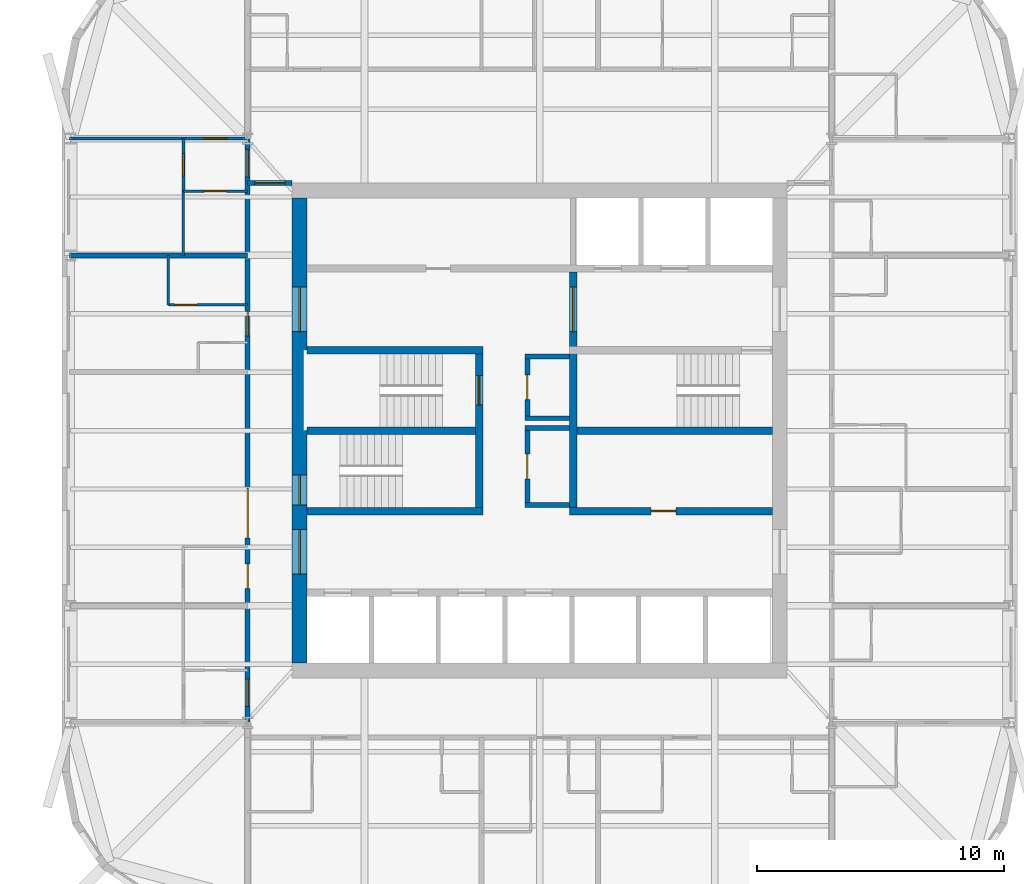
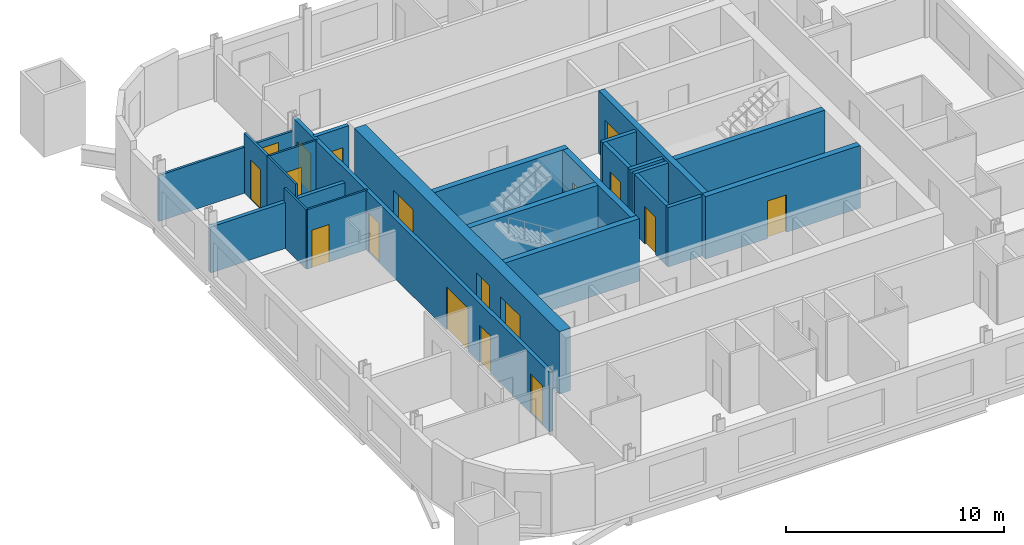
# One storey, part 4 of 8: 23 walls, 18 doors, 18 openings.
"""IFC4 building model written with IfcOpenShell, lengths in metres."""

import ifcopenshell
import ifcopenshell.guid

model = None  # the IFC model being written
_history = None  # IfcOwnerHistory: only IFC2X3 demands one
_inside = {}  # id of a spatial element -> (the spatial element, [elements in it])
_under = {}  # id of a project, library or spatial element -> (it, [spatial elements below it])
_declared = {}  # id of a project -> (the project, [libraries it declares])
_typed = {}  # id of a type object -> (the type object, [elements of that type])
_made_of = {}  # id of a material, layer set ... -> (it, [elements and type objects made of it])


def new_model(schema):
    """Start an empty IFC model of exactly this schema.

    Asked for "IFC4X3", IfcOpenShell would pick the latest addendum, in which some entities
    have other attributes; the version numbers below select the first issue.
    IFC2X3 requires an IfcOwnerHistory on every rooted entity: one is made here for all.
    """
    global model, _history
    if schema == "IFC4X3":
        model = ifcopenshell.file(schema_version=(4, 3, 0, 0))
    else:
        model = ifcopenshell.file(schema=schema)
    _inside.clear()
    _under.clear()
    _declared.clear()
    _typed.clear()
    _made_of.clear()
    _history = None
    if model.schema == "IFC2X3":
        org = make("IfcOrganization", Name="unknown")
        user = make(
            "IfcPersonAndOrganization",
            ThePerson=make("IfcPerson", FamilyName="unknown"),
            TheOrganization=org,
        )
        app = make(
            "IfcApplication",
            ApplicationDeveloper=org,
            Version="unknown",
            ApplicationFullName="unknown",
            ApplicationIdentifier="unknown",
        )
        _history = make(
            "IfcOwnerHistory",
            OwningUser=user,
            OwningApplication=app,
            ChangeAction="ADDED",
            CreationDate=0,
        )
    return model


def make(cls, **values):
    """One entity of the class cls with the attributes given. An attribute that is None is left unset."""
    return model.create_entity(
        cls, **{name: value for name, value in values.items() if value is not None}
    )


def rooted(cls, **values):
    """An entity with a GlobalId (a new one), such as an element, a storey or a relation."""
    return make(cls, GlobalId=ifcopenshell.guid.new(), OwnerHistory=_history, **values)


def si_unit(unit_type, name, prefix=None):
    """IfcSIUnit, for example si_unit("LENGTHUNIT", "METRE", prefix="MILLI")."""
    return make("IfcSIUnit", UnitType=unit_type, Prefix=prefix, Name=name)


def assignment(units):
    """IfcUnitAssignment: the units of a project."""
    return None if units is None else make("IfcUnitAssignment", Units=units)


def point(xyz):
    """IfcCartesianPoint."""
    return None if xyz is None else make("IfcCartesianPoint", Coordinates=xyz)


def direction(xyz):
    """IfcDirection."""
    return None if xyz is None else make("IfcDirection", DirectionRatios=xyz)


def frame(location, z_axis=None, x_axis=None):
    """IfcAxis2Placement3D, a coordinate frame: its origin and axes. An axis left out is left unset."""
    return make(
        "IfcAxis2Placement3D",
        Location=point(location),
        Axis=direction(z_axis),
        RefDirection=direction(x_axis),
    )


def frame_2d(location, x_axis=None):
    """IfcAxis2Placement2D, a coordinate frame in the plane: its origin and x axis."""
    return make(
        "IfcAxis2Placement2D", Location=point(location), RefDirection=direction(x_axis)
    )


def origin():
    """The frame at (0, 0, 0) with its axes left unset."""
    return frame((0.0, 0.0, 0.0))


def place(relative_to, where):
    """IfcLocalPlacement: puts the frame where relative to a parent placement (None: the world)."""
    return make(
        "IfcLocalPlacement", PlacementRelTo=relative_to, RelativePlacement=where
    )


def context(
    kind, dimensions, precision=None, world=None, true_north=None, identifier=None
):
    """IfcGeometricRepresentationContext, for example the 3D "Model" context."""
    return make(
        "IfcGeometricRepresentationContext",
        ContextIdentifier=identifier,
        ContextType=kind,
        CoordinateSpaceDimension=dimensions,
        Precision=precision,
        WorldCoordinateSystem=world,
        TrueNorth=true_north,
    )


def subcontext(parent, identifier, kind, view, scale=None):
    """IfcGeometricRepresentationSubContext, for example "Body" below "Model"."""
    return make(
        "IfcGeometricRepresentationSubContext",
        ContextIdentifier=identifier,
        ContextType=kind,
        ParentContext=parent,
        TargetScale=scale,
        TargetView=view,
    )


def project(units=None, contexts=None):
    """IfcProject with its units and contexts."""
    return rooted(
        "IfcProject",
        Name="project",
        RepresentationContexts=contexts,
        UnitsInContext=assignment(units),
    )


def spatial(cls, under=None, at=None, **own):
    """A site, building, storey or space (cls), placed at a placement, below another one or the project."""
    s = rooted(cls, ObjectPlacement=at, **own)
    if under is not None:
        _under.setdefault(under.id(), (under, []))[1].append(s)
    return s


def profile(cls, at=None, kind="AREA", **sizes):
    """A parametric profile (cls). Its sizes go by their IFC names, for example OverallWidth=200.0."""
    return make(cls, ProfileType=kind, Position=at, **sizes)


def rectangle(**sizes):
    """IfcRectangleProfileDef."""
    return profile("IfcRectangleProfileDef", **sizes)


def extrude(swept, where, along, depth):
    """IfcExtrudedAreaSolid: the profile swept, set in the frame where, extruded along a direction by depth."""
    return make(
        "IfcExtrudedAreaSolid",
        SweptArea=swept,
        Position=where,
        ExtrudedDirection=direction(along),
        Depth=depth,
    )


def shape(context_of_items, identifier, shape_type, items):
    """IfcShapeRepresentation: the items that make up one representation, for example the "Body"."""
    return make(
        "IfcShapeRepresentation",
        ContextOfItems=context_of_items,
        RepresentationIdentifier=identifier,
        RepresentationType=shape_type,
        Items=items,
    )


def material(Name=None, Category=None):
    """IfcMaterial."""
    return make("IfcMaterial", Name=Name, Category=Category)


def layer(
    of_material, thickness, ventilated=None, Name=None, Category=None, Priority=None
):
    """IfcMaterialLayer: one layer of a wall or slab, of a material (None: an air gap)."""
    return make(
        "IfcMaterialLayer",
        Material=of_material,
        LayerThickness=thickness,
        IsVentilated=ventilated,
        Name=Name,
        Category=Category,
        Priority=Priority,
    )


def layer_set(layers, Name=None):
    """IfcMaterialLayerSet."""
    return make("IfcMaterialLayerSet", MaterialLayers=layers, LayerSetName=Name)


def made_of(thing, what):
    """Note that an element or type object is made of a material, layer set ...; save() writes the relation."""
    if what is not None:
        _made_of.setdefault(what.id(), (what, []))[1].append(thing)
    return thing


def type_object(cls, material=None, **own):
    """A type object (cls), such as IfcWallType, which elements share."""
    return made_of(rooted(cls, **own), material)


def element(
    cls,
    number,
    at=None,
    inside=None,
    cuts=None,
    type_object=None,
    material=None,
    context=None,
    identifier="Body",
    shape_type=None,
    held_by="IfcProductDefinitionShape",
    body=None,
    shapes=None,
    **own,
):
    """One element of the class cls, such as IfcWall. Its Tag is "e" and its number.

    at: its placement. inside: the storey or other place that contains it. cuts: it is an
    opening in that element (IfcRelVoidsElement). A single representation is given by context,
    identifier, shape_type and body (its items); several are given by shapes. held_by: the class
    of the entity that holds the representations. save() writes the other relations.
    """
    e = rooted(cls, Tag="e%d" % number, ObjectPlacement=at, **own)
    if body is not None:
        shapes = [shape(context, identifier, shape_type, body)]
    if shapes is not None:
        e.Representation = make(held_by, Representations=shapes)
    if inside is not None:
        _inside.setdefault(inside.id(), (inside, []))[1].append(e)
    if cuts is not None:
        rooted(
            "IfcRelVoidsElement", RelatingBuildingElement=cuts, RelatedOpeningElement=e
        )
    if type_object is not None:
        _typed.setdefault(type_object.id(), (type_object, []))[1].append(e)
    return made_of(e, material)


def fill(opening, filler):
    """IfcRelFillsElement: the door or window that sits in an opening."""
    return rooted(
        "IfcRelFillsElement",
        RelatingOpeningElement=opening,
        RelatedBuildingElement=filler,
    )


def aggregate(whole, parts):
    """IfcRelAggregates: a whole, such as a stair, and the parts it consists of."""
    return rooted("IfcRelAggregates", RelatingObject=whole, RelatedObjects=parts)


def save(model, path):
    """Write the relations noted so far, then the file.

    IfcRelAggregates (storeys below a building ...), IfcRelContainedInSpatialStructure (elements
    in a storey), IfcRelDefinesByType, IfcRelAssociatesMaterial and IfcRelDeclares: one each for
    every whole, place, type object, material and project.
    """
    for whole, parts in _under.values():
        aggregate(whole, parts)
    for where, things in _inside.values():
        rooted(
            "IfcRelContainedInSpatialStructure",
            RelatedElements=things,
            RelatingStructure=where,
        )
    for kind, things in _typed.values():
        rooted("IfcRelDefinesByType", RelatedObjects=things, RelatingType=kind)
    for what, things in _made_of.values():
        rooted("IfcRelAssociatesMaterial", RelatedObjects=things, RelatingMaterial=what)
    for by, libraries in _declared.values():
        rooted("IfcRelDeclares", RelatingContext=by, RelatedDefinitions=libraries)
    model.write(path)


model = new_model("IFC4")

# Units and contexts
model_context = context("Model", 3, precision=1e-05, world=origin(), true_north=direction((0.0, 1.0)))
body_context = subcontext(model_context, "Body", "Model", "MODEL_VIEW")
ifc_project = project(units=[si_unit("LENGTHUNIT", "METRE"), si_unit("AREAUNIT", "SQUARE_METRE"), si_unit("VOLUMEUNIT", "CUBIC_METRE"), si_unit("PLANEANGLEUNIT", "RADIAN"), si_unit("MASSUNIT", "GRAM", prefix="KILO")], contexts=[model_context])

# Site, building, storey
site_placement = place(None, origin())
site = spatial("IfcSite", under=ifc_project, at=site_placement, CompositionType="ELEMENT")
building_placement = place(site_placement, origin())
building = spatial("IfcBuilding", under=site, at=building_placement, Name="Turquesa Mirador Hotel Tower", CompositionType="ELEMENT")
storey_placement = place(building_placement, frame((0.0, 0.0, 168.800048828125)))
storey = spatial("IfcBuildingStorey", under=building, at=storey_placement, Name="L45", CompositionType="ELEMENT", Elevation=168.800048828125)

# Wall, opening, door
ifc_material_1 = material(Name="Gypsum board on steel studs", Category="steel")
ifc_layer_1 = layer(ifc_material_1, 0.10009765625)
ifc_layer_set_1 = layer_set([ifc_layer_1], Name="BATHROOM WALL 100")
wall_type_1 = type_object("IfcWallType", Name="BATHROOM WALL 100", PredefinedType="PARTITIONING", material=ifc_layer_set_1)
wall_1_placement = place(storey_placement, frame((40.0, 50.080078125, 0.0), z_axis=(0.0, 0.0, 1.0), x_axis=(1.0, 0.0, 0.0)))
wall_1 = element("IfcWall", 1, at=wall_1_placement, inside=storey, type_object=wall_type_1, Name="Partition L45 033", PredefinedType="PARTITIONING", context=body_context, shape_type="SweptSolid", body=[
    extrude(rectangle(XDim=3.199951171875, YDim=0.10009765625, at=frame_2d((1.60009765625, 0.0))), origin(), (0.0, 0.0, 1.0), 3.329833984375),
])
opening_1_placement = place(wall_1_placement, frame((0.25, 0.0, 0.0)))
opening_1 = element("IfcOpeningElement", 2, at=opening_1_placement, cuts=wall_1, Name="Opening D02", PredefinedType="OPENING", context=body_context, shape_type="SweptSolid", body=[
    extrude(rectangle(XDim=0.89990234375, YDim=2.10009765625, at=frame_2d((0.449951171875, 1.050048828125))), frame((0.0, 0.06005859375, 0.0), z_axis=(0.0, -1.0, 0.0), x_axis=(1.0, 0.0, 0.0)), (0.0, 0.0, 1.0), 0.1201171875),
])
ifc_material_2 = material(Name="Timber veneered door", Category="wood")
door_type_1 = type_object("IfcDoorType", Name="DOOR 900X2100 EN-SUITE", OperationType="SINGLE_SWING_RIGHT", PredefinedType="DOOR", material=ifc_material_2)
door_1_placement = place(opening_1_placement, origin())
door_1 = element("IfcDoor", 3, at=door_1_placement, inside=storey, type_object=door_type_1, Name="Door 4508B", OperationType="SINGLE_SWING_RIGHT", OverallHeight=2.10009765625, OverallWidth=0.89990234375, PredefinedType="DOOR", context=body_context, shape_type="SweptSolid", body=[
    extrude(rectangle(XDim=0.89990234375, YDim=2.10009765625, at=frame_2d((0.449951171875, 1.050048828125))), frame((0.0, 0.02490234375, 0.0), z_axis=(0.0, -1.0, 0.0), x_axis=(1.0, 0.0, 0.0)), (0.0, 0.0, 1.0), 0.050048828125),
])
fill(opening_1, door_1)

wall_2_placement = place(storey_placement, frame((40.60009765625, 54.679931640625, 0.0), z_axis=(0.0, 0.0, 1.0), x_axis=(1.0, 0.0, 0.0)))
wall_2 = element("IfcWall", 4, at=wall_2_placement, inside=storey, type_object=wall_type_1, Name="Partition L45 038", PredefinedType="PARTITIONING", context=body_context, shape_type="SweptSolid", body=[
    extrude(rectangle(XDim=2.599853515625, YDim=0.10009765625, at=frame_2d((1.2998046875, 0.0))), origin(), (0.0, 0.0, 1.0), 3.329833984375),
])
opening_2_placement = place(wall_2_placement, frame((0.85009765625, 0.0, 0.0)))
opening_2 = element("IfcOpeningElement", 5, at=opening_2_placement, cuts=wall_2, Name="Opening D02", PredefinedType="OPENING", context=body_context, shape_type="SweptSolid", body=[
    extrude(rectangle(XDim=0.89990234375, YDim=2.10009765625, at=frame_2d((0.449951171875, 1.050048828125))), frame((0.0, 0.06005859375, 0.0), z_axis=(0.0, -1.0, 0.0), x_axis=(1.0, 0.0, 0.0)), (0.0, 0.0, 1.0), 0.1201171875),
])
door_2_placement = place(opening_2_placement, origin())
door_2 = element("IfcDoor", 6, at=door_2_placement, inside=storey, type_object=door_type_1, Name="Door 4510B", OperationType="SINGLE_SWING_RIGHT", OverallHeight=2.10009765625, OverallWidth=0.89990234375, PredefinedType="DOOR", context=body_context, shape_type="SweptSolid", body=[
    extrude(rectangle(XDim=0.89990234375, YDim=2.10009765625, at=frame_2d((0.449951171875, 1.050048828125))), frame((0.0, 0.02490234375, 0.0), z_axis=(0.0, -1.0, 0.0), x_axis=(1.0, 0.0, 0.0)), (0.0, 0.0, 1.0), 0.050048828125),
])
fill(opening_2, door_2)

# Walls
wall_3_placement = place(storey_placement, frame((40.60009765625, 52.080078125, 0.0), z_axis=(0.0, 0.0, 1.0), x_axis=(0.0, 1.0, 0.0)))
element("IfcWall", 7, at=wall_3_placement, inside=storey, type_object=wall_type_1, Name="Partition L45 047", PredefinedType="PARTITIONING", context=body_context, shape_type="SweptSolid", body=[
    extrude(rectangle(XDim=2.599853515625, YDim=0.10009765625, at=frame_2d((1.2998046875, 0.0))), origin(), (0.0, 0.0, 1.0), 3.329833984375),
])
wall_4_placement = place(storey_placement, frame((40.0, 50.080078125, 0.0), z_axis=(0.0, 0.0, 1.0), x_axis=(0.0, 1.0, 0.0)))
element("IfcWall", 8, at=wall_4_placement, inside=storey, type_object=wall_type_1, Name="Partition L45 050", PredefinedType="PARTITIONING", context=body_context, shape_type="SweptSolid", body=[
    extrude(rectangle(XDim=2.0, YDim=0.10009765625, at=frame_2d((1.0, 0.0))), origin(), (0.0, 0.0, 1.0), 3.329833984375),
])
ifc_material_3 = material(Name="Concrete C50/60", Category="concrete")
ifc_layer_2 = layer(ifc_material_3, 0.300048828125)
ifc_layer_set_2 = layer_set([ifc_layer_2], Name="CORE INNER WALL 300")
wall_type_2 = type_object("IfcWallType", Name="CORE INNER WALL 300", PredefinedType="SHEAR", material=ifc_layer_set_2)
for number, where, z_axis, x_axis, name in (
    (9, (45.60009765625, 48.25, 0.0), (0.0, 0.0, 1.0), (1.0, 0.0, 0.0), "Core wall MN-W"),
    (10, (45.60009765625, 41.75, 0.0), (0.0, 0.0, 1.0), (1.0, 0.0, 0.0), "Core wall MS-W"),
):
    element("IfcWall", number, at=place(storey_placement, frame(where, z_axis=z_axis, x_axis=x_axis)), inside=storey, type_object=wall_type_2, Name=name, PredefinedType="SHEAR", context=body_context, shape_type="SweptSolid", body=[
        extrude(rectangle(XDim=7.099853515625, YDim=0.300048828125, at=frame_2d((3.5498046875, 0.0))), origin(), (0.0, 0.0, 1.0), 3.5),
    ])

# Wall, opening, door
wall_5_placement = place(storey_placement, frame((56.199951171875, 41.75, 0.0), z_axis=(0.0, 0.0, 1.0), x_axis=(1.0, 0.0, 0.0)))
wall_5 = element("IfcWall", 11, at=wall_5_placement, inside=storey, type_object=wall_type_2, Name="Core wall MS-E", PredefinedType="SHEAR", context=body_context, shape_type="SweptSolid", body=[
    extrude(rectangle(XDim=8.199951171875, YDim=0.300048828125, at=frame_2d((4.10009765625, 0.0))), origin(), (0.0, 0.0, 1.0), 3.5),
])
opening_3_placement = place(wall_5_placement, frame((3.300048828125, 0.0, 0.0)))
opening_3 = element("IfcOpeningElement", 12, at=opening_3_placement, cuts=wall_5, Name="Opening D05", PredefinedType="OPENING", context=body_context, shape_type="SweptSolid", body=[
    extrude(rectangle(XDim=1.0, YDim=2.10009765625, at=frame_2d((0.5, 1.050048828125))), frame((0.0, 0.159912109375, 0.0), z_axis=(0.0, -1.0, 0.0), x_axis=(1.0, 0.0, 0.0)), (0.0, 0.0, 1.0), 0.320068359375),
])
ifc_material_4 = material(Name="Steel fire door", Category="steel")
door_type_2 = type_object("IfcDoorType", Name="DOOR 1000X2100 SERVICE", OperationType="SINGLE_SWING_LEFT", PredefinedType="DOOR", material=ifc_material_4)
door_3_placement = place(opening_3_placement, origin())
door_3 = element("IfcDoor", 13, at=door_3_placement, inside=storey, type_object=door_type_2, Name="Housekeeping room door", OperationType="SINGLE_SWING_LEFT", OverallHeight=2.10009765625, OverallWidth=1.0, PredefinedType="DOOR", context=body_context, shape_type="SweptSolid", body=[
    extrude(rectangle(XDim=1.0, YDim=2.10009765625, at=frame_2d((0.5, 1.050048828125))), frame((0.0, 0.02490234375, 0.0), z_axis=(0.0, -1.0, 0.0), x_axis=(1.0, 0.0, 0.0)), (0.0, 0.0, 1.0), 0.050048828125),
])
fill(opening_3, door_3)

wall_6_placement = place(storey_placement, frame((52.550048828125, 41.89990234375, 0.0), z_axis=(0.0, 0.0, 1.0), x_axis=(0.0, 1.0, 0.0)))
wall_6 = element("IfcWall", 14, at=wall_6_placement, inside=storey, type_object=wall_type_2, Name="Core wall PW", PredefinedType="SHEAR", context=body_context, shape_type="SweptSolid", body=[
    extrude(rectangle(XDim=6.2001953125, YDim=0.300048828125, at=frame_2d((3.10009765625, 0.0))), origin(), (0.0, 0.0, 1.0), 3.5),
])
opening_4_placement = place(wall_6_placement, frame((4.125, 0.0, 0.0)))
opening_4 = element("IfcOpeningElement", 15, at=opening_4_placement, cuts=wall_6, Name="Opening D03", PredefinedType="OPENING", context=body_context, shape_type="SweptSolid", body=[
    extrude(rectangle(XDim=1.199951171875, YDim=2.199951171875, at=frame_2d((0.60009765625, 1.10009765625))), frame((0.0, 0.159912109375, 0.0), z_axis=(0.0, -1.0, 0.0), x_axis=(1.0, 0.0, 0.0)), (0.0, 0.0, 1.0), 0.320068359375),
])
ifc_material_5 = material(Name="Steel fire door", Category="steel")
door_type_3 = type_object("IfcDoorType", Name="DOOR 1200X2200 STAIR", OperationType="SINGLE_SWING_LEFT", PredefinedType="DOOR", material=ifc_material_5)
door_4_placement = place(opening_4_placement, origin())
door_4 = element("IfcDoor", 16, at=door_4_placement, inside=storey, type_object=door_type_3, Name="Stair ST1 door", OperationType="SINGLE_SWING_LEFT", OverallHeight=2.199951171875, OverallWidth=1.199951171875, PredefinedType="DOOR", context=body_context, shape_type="SweptSolid", body=[
    extrude(rectangle(XDim=1.199951171875, YDim=2.199951171875, at=frame_2d((0.60009765625, 1.10009765625))), frame((0.0, 0.02490234375, 0.0), z_axis=(0.0, -1.0, 0.0), x_axis=(1.0, 0.0, 0.0)), (0.0, 0.0, 1.0), 0.050048828125),
])
fill(opening_4, door_4)

wall_7_placement = place(storey_placement, frame((56.35009765625, 41.89990234375, 0.0), z_axis=(0.0, 0.0, 1.0), x_axis=(0.0, 1.0, 0.0)))
wall_7 = element("IfcWall", 17, at=wall_7_placement, inside=storey, type_object=wall_type_2, Name="Core wall PE", PredefinedType="SHEAR", context=body_context, shape_type="SweptSolid", body=[
    extrude(rectangle(XDim=9.5, YDim=0.300048828125, at=frame_2d((4.75, 0.0))), origin(), (0.0, 0.0, 1.0), 3.5),
])
opening_5_placement = place(wall_7_placement, frame((7.10009765625, 0.0, 0.0)))
opening_5 = element("IfcOpeningElement", 18, at=opening_5_placement, cuts=wall_7, Name="Opening D04", PredefinedType="OPENING", context=body_context, shape_type="SweptSolid", body=[
    extrude(rectangle(XDim=1.800048828125, YDim=2.199951171875, at=frame_2d((0.89990234375, 1.10009765625))), frame((0.0, 0.159912109375, 0.0), z_axis=(0.0, -1.0, 0.0), x_axis=(1.0, 0.0, 0.0)), (0.0, 0.0, 1.0), 0.320068359375),
])
ifc_material_6 = material(Name="Steel fire door pair", Category="steel")
door_type_4 = type_object("IfcDoorType", Name="DOOR 1800X2200 PAIR", OperationType="DOUBLE_DOOR_SINGLE_SWING", PredefinedType="DOOR", material=ifc_material_6)
door_5_placement = place(opening_5_placement, origin())
door_5 = element("IfcDoor", 19, at=door_5_placement, inside=storey, type_object=door_type_4, Name="Firefighting lobby inner door", OperationType="DOUBLE_DOOR_SINGLE_SWING", OverallHeight=2.199951171875, OverallWidth=1.800048828125, PredefinedType="DOOR", context=body_context, shape_type="SweptSolid", body=[
    extrude(rectangle(XDim=1.800048828125, YDim=2.199951171875, at=frame_2d((0.89990234375, 1.10009765625))), frame((0.0, 0.02490234375, 0.0), z_axis=(0.0, -1.0, 0.0), x_axis=(1.0, 0.0, 0.0)), (0.0, 0.0, 1.0), 0.050048828125),
])
fill(opening_5, door_5)

# Walls
wall_8_placement = place(storey_placement, frame((45.60009765625, 45.0, 0.0), z_axis=(0.0, 0.0, 1.0), x_axis=(1.0, 0.0, 0.0)))
element("IfcWall", 20, at=wall_8_placement, inside=storey, type_object=wall_type_2, Name="Core wall M0-W", PredefinedType="SHEAR", context=body_context, shape_type="SweptSolid", body=[
    extrude(rectangle(XDim=6.7998046875, YDim=0.300048828125, at=frame_2d((3.39990234375, 0.0))), origin(), (0.0, 0.0, 1.0), 3.5),
])
wall_9_placement = place(storey_placement, frame((56.5, 45.0, 0.0), z_axis=(0.0, 0.0, 1.0), x_axis=(1.0, 0.0, 0.0)))
element("IfcWall", 21, at=wall_9_placement, inside=storey, type_object=wall_type_2, Name="Core wall M0-E", PredefinedType="SHEAR", context=body_context, shape_type="SweptSolid", body=[
    extrude(rectangle(XDim=7.89990234375, YDim=0.300048828125, at=frame_2d((3.949951171875, 0.0))), origin(), (0.0, 0.0, 1.0), 3.5),
])

# Wall, openings, doors
ifc_material_7 = material(Name="Concrete C50/60", Category="concrete")
ifc_layer_3 = layer(ifc_material_7, 0.60009765625)
ifc_layer_set_3 = layer_set([ifc_layer_3], Name="CORE WALL 600")
wall_type_3 = type_object("IfcWallType", Name="CORE WALL 600", PredefinedType="SHEAR", material=ifc_layer_set_3)
wall_10_placement = place(storey_placement, frame((45.300048828125, 35.60009765625, 0.0), z_axis=(0.0, 0.0, 1.0), x_axis=(0.0, 1.0, 0.0)))
wall_10 = element("IfcWall", 22, at=wall_10_placement, inside=storey, type_object=wall_type_3, Name="Core wall W", PredefinedType="SHEAR", context=body_context, shape_type="SweptSolid", body=[
    extrude(rectangle(XDim=18.7998046875, YDim=0.60009765625, at=frame_2d((9.39990234375, 0.0))), origin(), (0.0, 0.0, 1.0), 3.5),
])
opening_6_placement = place(wall_10_placement, frame((13.39990234375, 0.0, 0.0)))
opening_6 = element("IfcOpeningElement", 23, at=opening_6_placement, cuts=wall_10, Name="Opening D04", PredefinedType="OPENING", context=body_context, shape_type="SweptSolid", body=[
    extrude(rectangle(XDim=1.800048828125, YDim=2.199951171875, at=frame_2d((0.89990234375, 1.10009765625))), frame((0.0, 0.31005859375, 0.0), z_axis=(0.0, -1.0, 0.0), x_axis=(1.0, 0.0, 0.0)), (0.0, 0.0, 1.0), 0.6201171875),
])
opening_7_placement = place(wall_10_placement, frame((3.60009765625, 0.0, 0.0)))
opening_7 = element("IfcOpeningElement", 24, at=opening_7_placement, cuts=wall_10, Name="Opening D04", PredefinedType="OPENING", context=body_context, shape_type="SweptSolid", body=[
    extrude(rectangle(XDim=1.800048828125, YDim=2.199951171875, at=frame_2d((0.89990234375, 1.10009765625))), frame((0.0, 0.31005859375, 0.0), z_axis=(0.0, -1.0, 0.0), x_axis=(1.0, 0.0, 0.0)), (0.0, 0.0, 1.0), 0.6201171875),
])
opening_8_placement = place(wall_10_placement, frame((6.39990234375, 0.0, 0.0)))
opening_8 = element("IfcOpeningElement", 25, at=opening_8_placement, cuts=wall_10, Name="Opening D03", PredefinedType="OPENING", context=body_context, shape_type="SweptSolid", body=[
    extrude(rectangle(XDim=1.199951171875, YDim=2.199951171875, at=frame_2d((0.60009765625, 1.10009765625))), frame((0.0, 0.31005859375, 0.0), z_axis=(0.0, -1.0, 0.0), x_axis=(1.0, 0.0, 0.0)), (0.0, 0.0, 1.0), 0.6201171875),
])
door_6_placement = place(opening_8_placement, origin())
door_6 = element("IfcDoor", 26, at=door_6_placement, inside=storey, type_object=door_type_3, Name="Stair ST2 door", OperationType="SINGLE_SWING_LEFT", OverallHeight=2.199951171875, OverallWidth=1.199951171875, PredefinedType="DOOR", context=body_context, shape_type="SweptSolid", body=[
    extrude(rectangle(XDim=1.199951171875, YDim=2.199951171875, at=frame_2d((0.60009765625, 1.10009765625))), frame((0.0, 0.02490234375, 0.0), z_axis=(0.0, -1.0, 0.0), x_axis=(1.0, 0.0, 0.0)), (0.0, 0.0, 1.0), 0.050048828125),
])
fill(opening_8, door_6)
door_7_placement = place(opening_6_placement, origin())
door_7 = element("IfcDoor", 27, at=door_7_placement, inside=storey, type_object=door_type_4, Name="North lift lobby door", OperationType="DOUBLE_DOOR_SINGLE_SWING", OverallHeight=2.199951171875, OverallWidth=1.800048828125, PredefinedType="DOOR", context=body_context, shape_type="SweptSolid", body=[
    extrude(rectangle(XDim=1.800048828125, YDim=2.199951171875, at=frame_2d((0.89990234375, 1.10009765625))), frame((0.0, 0.02490234375, 0.0), z_axis=(0.0, -1.0, 0.0), x_axis=(1.0, 0.0, 0.0)), (0.0, 0.0, 1.0), 0.050048828125),
])
fill(opening_6, door_7)
door_8_placement = place(opening_7_placement, origin())
door_8 = element("IfcDoor", 28, at=door_8_placement, inside=storey, type_object=door_type_4, Name="South lift lobby door", OperationType="DOUBLE_DOOR_SINGLE_SWING", OverallHeight=2.199951171875, OverallWidth=1.800048828125, PredefinedType="DOOR", context=body_context, shape_type="SweptSolid", body=[
    extrude(rectangle(XDim=1.800048828125, YDim=2.199951171875, at=frame_2d((0.89990234375, 1.10009765625))), frame((0.0, 0.02490234375, 0.0), z_axis=(0.0, -1.0, 0.0), x_axis=(1.0, 0.0, 0.0)), (0.0, 0.0, 1.0), 0.050048828125),
])
fill(opening_7, door_8)

# Wall, opening, door
ifc_material_8 = material(Name="Fire-rated gypsum board on steel studs", Category="steel")
ifc_layer_4 = layer(ifc_material_8, 0.199951171875)
ifc_layer_set_4 = layer_set([ifc_layer_4], Name="CORRIDOR WALL 200")
wall_type_4 = type_object("IfcWallType", Name="CORRIDOR WALL 200", PredefinedType="PARTITIONING", material=ifc_layer_set_4)
wall_11_placement = place(storey_placement, frame((43.199951171875, 55.0, 0.0), z_axis=(0.0, 0.0, 1.0), x_axis=(1.0, 0.0, 0.0)))
wall_11 = element("IfcWall", 29, at=wall_11_placement, inside=storey, type_object=wall_type_4, Name="Partition L45 021", PredefinedType="PARTITIONING", context=body_context, shape_type="SweptSolid", body=[
    extrude(rectangle(XDim=1.800048828125, YDim=0.199951171875, at=frame_2d((0.89990234375, 0.0))), origin(), (0.0, 0.0, 1.0), 3.329833984375),
])
opening_9_placement = place(wall_11_placement, frame((0.300048828125, 0.0, 0.0)))
opening_9 = element("IfcOpeningElement", 30, at=opening_9_placement, cuts=wall_11, Name="Opening D19", PredefinedType="OPENING", context=body_context, shape_type="SweptSolid", body=[
    extrude(rectangle(XDim=1.199951171875, YDim=2.199951171875, at=frame_2d((0.60009765625, 1.10009765625))), frame((0.0, 0.10986328125, 0.0), z_axis=(0.0, -1.0, 0.0), x_axis=(1.0, 0.0, 0.0)), (0.0, 0.0, 1.0), 0.219970703125),
])
ifc_material_9 = material(Name="Steel glazed fire door", Category="steel")
door_type_5 = type_object("IfcDoorType", Name="DOOR 1200X2200 FIRE DOOR GLAZED", OperationType="SINGLE_SWING_LEFT", PredefinedType="DOOR", material=ifc_material_9)
door_9_placement = place(opening_9_placement, origin())
door_9 = element("IfcDoor", 31, at=door_9_placement, inside=storey, type_object=door_type_5, Name="Door L45-C03", OperationType="SINGLE_SWING_LEFT", OverallHeight=2.199951171875, OverallWidth=1.199951171875, PredefinedType="DOOR", context=body_context, shape_type="SweptSolid", body=[
    extrude(rectangle(XDim=1.199951171875, YDim=2.199951171875, at=frame_2d((0.60009765625, 1.10009765625))), frame((0.0, 0.02490234375, 0.0), z_axis=(0.0, -1.0, 0.0), x_axis=(1.0, 0.0, 0.0)), (0.0, 0.0, 1.0), 0.050048828125),
])
fill(opening_9, door_9)

# Wall, openings, doors
wall_12_placement = place(storey_placement, frame((43.199951171875, 33.219970703125, 0.0), z_axis=(0.0, 0.0, 1.0), x_axis=(0.0, 1.0, 0.0)))
wall_12 = element("IfcWall", 32, at=wall_12_placement, inside=storey, type_object=wall_type_4, Name="Partition L45 042", PredefinedType="PARTITIONING", context=body_context, shape_type="SweptSolid", body=[
    extrude(rectangle(XDim=23.56005859375, YDim=0.199951171875, at=frame_2d((11.780029296875, 0.0))), origin(), (0.0, 0.0, 1.0), 3.329833984375),
])
opening_10_placement = place(wall_12_placement, frame((15.60009765625, 0.0, 0.0)))
opening_10 = element("IfcOpeningElement", 33, at=opening_10_placement, cuts=wall_12, Name="Opening D01", PredefinedType="OPENING", context=body_context, shape_type="SweptSolid", body=[
    extrude(rectangle(XDim=1.0, YDim=2.199951171875, at=frame_2d((0.5, 1.10009765625))), frame((0.0, 0.10986328125, 0.0), z_axis=(0.0, -1.0, 0.0), x_axis=(1.0, 0.0, 0.0)), (0.0, 0.0, 1.0), 0.219970703125),
])
opening_11_placement = place(wall_12_placement, frame((22.030029296875, 0.0, 0.0)))
opening_11 = element("IfcOpeningElement", 34, at=opening_11_placement, cuts=wall_12, Name="Opening D15", PredefinedType="OPENING", context=body_context, shape_type="SweptSolid", body=[
    extrude(rectangle(XDim=1.10009765625, YDim=2.199951171875, at=frame_2d((0.550048828125, 1.10009765625))), frame((0.0, 0.10986328125, 0.0), z_axis=(0.0, -1.0, 0.0), x_axis=(1.0, 0.0, 0.0)), (0.0, 0.0, 1.0), 0.219970703125),
])
opening_12_placement = place(wall_12_placement, frame((0.639892578125, 0.0, 0.0)))
opening_12 = element("IfcOpeningElement", 35, at=opening_12_placement, cuts=wall_12, Name="Opening D15", PredefinedType="OPENING", context=body_context, shape_type="SweptSolid", body=[
    extrude(rectangle(XDim=1.10009765625, YDim=2.199951171875, at=frame_2d((0.550048828125, 1.10009765625))), frame((0.0, 0.10986328125, 0.0), z_axis=(0.0, -1.0, 0.0), x_axis=(1.0, 0.0, 0.0)), (0.0, 0.0, 1.0), 0.219970703125),
])
opening_13_placement = place(wall_12_placement, frame((7.449951171875, 0.0, 0.0)))
opening_13 = element("IfcOpeningElement", 36, at=opening_13_placement, cuts=wall_12, Name="Opening D18", PredefinedType="OPENING", context=body_context, shape_type="SweptSolid", body=[
    extrude(rectangle(XDim=2.0, YDim=2.39990234375, at=frame_2d((1.0, 1.199951171875))), frame((0.0, 0.10986328125, 0.0), z_axis=(0.0, -1.0, 0.0), x_axis=(1.0, 0.0, 0.0)), (0.0, 0.0, 1.0), 0.219970703125),
])
opening_14_placement = place(wall_12_placement, frame((5.39990234375, 0.0, 0.0)))
opening_14 = element("IfcOpeningElement", 37, at=opening_14_placement, cuts=wall_12, Name="Opening D05", PredefinedType="OPENING", context=body_context, shape_type="SweptSolid", body=[
    extrude(rectangle(XDim=1.0, YDim=2.10009765625, at=frame_2d((0.5, 1.050048828125))), frame((0.0, 0.10986328125, 0.0), z_axis=(0.0, -1.0, 0.0), x_axis=(1.0, 0.0, 0.0)), (0.0, 0.0, 1.0), 0.219970703125),
])
door_10_placement = place(opening_14_placement, origin())
door_10 = element("IfcDoor", 38, at=door_10_placement, inside=storey, type_object=door_type_2, Name="Door L45-LGP-1", OperationType="SINGLE_SWING_LEFT", OverallHeight=2.10009765625, OverallWidth=1.0, PredefinedType="DOOR", context=body_context, shape_type="SweptSolid", body=[
    extrude(rectangle(XDim=1.0, YDim=2.10009765625, at=frame_2d((0.5, 1.050048828125))), frame((0.0, 0.02490234375, 0.0), z_axis=(0.0, -1.0, 0.0), x_axis=(1.0, 0.0, 0.0)), (0.0, 0.0, 1.0), 0.050048828125),
])
fill(opening_14, door_10)
ifc_material_10 = material(Name="Timber veneered fire door", Category="wood")
door_type_6 = type_object("IfcDoorType", Name="DOOR 1000X2200 GUEST ENTRY", OperationType="SINGLE_SWING_LEFT", PredefinedType="DOOR", material=ifc_material_10)
door_11_placement = place(opening_10_placement, origin())
door_11 = element("IfcDoor", 39, at=door_11_placement, inside=storey, type_object=door_type_6, Name="Door 4508", OperationType="SINGLE_SWING_LEFT", OverallHeight=2.199951171875, OverallWidth=1.0, PredefinedType="DOOR", context=body_context, shape_type="SweptSolid", body=[
    extrude(rectangle(XDim=1.0, YDim=2.199951171875, at=frame_2d((0.5, 1.10009765625))), frame((0.0, 0.02490234375, 0.0), z_axis=(0.0, -1.0, 0.0), x_axis=(1.0, 0.0, 0.0)), (0.0, 0.0, 1.0), 0.050048828125),
])
fill(opening_10, door_11)
ifc_material_11 = material(Name="Timber veneered fire door", Category="wood")
door_type_7 = type_object("IfcDoorType", Name="DOOR 1100X2200 SUITE ENTRY", OperationType="SINGLE_SWING_LEFT", PredefinedType="DOOR", material=ifc_material_11)
door_12_placement = place(opening_11_placement, origin())
door_12 = element("IfcDoor", 40, at=door_12_placement, inside=storey, type_object=door_type_7, Name="Door 4510H", OperationType="SINGLE_SWING_LEFT", OverallHeight=2.199951171875, OverallWidth=1.10009765625, PredefinedType="DOOR", context=body_context, shape_type="SweptSolid", body=[
    extrude(rectangle(XDim=1.10009765625, YDim=2.199951171875, at=frame_2d((0.550048828125, 1.10009765625))), frame((0.0, 0.02490234375, 0.0), z_axis=(0.0, -1.0, 0.0), x_axis=(1.0, 0.0, 0.0)), (0.0, 0.0, 1.0), 0.050048828125),
])
fill(opening_11, door_12)
door_13_placement = place(opening_12_placement, origin())
door_13 = element("IfcDoor", 41, at=door_13_placement, inside=storey, type_object=door_type_7, Name="Door 4511H", OperationType="SINGLE_SWING_LEFT", OverallHeight=2.199951171875, OverallWidth=1.10009765625, PredefinedType="DOOR", context=body_context, shape_type="SweptSolid", body=[
    extrude(rectangle(XDim=1.10009765625, YDim=2.199951171875, at=frame_2d((0.550048828125, 1.10009765625))), frame((0.0, 0.02490234375, 0.0), z_axis=(0.0, -1.0, 0.0), x_axis=(1.0, 0.0, 0.0)), (0.0, 0.0, 1.0), 0.050048828125),
])
fill(opening_12, door_13)
ifc_material_12 = material(Name="Timber veneered fire door pair", Category="wood")
door_type_8 = type_object("IfcDoorType", Name="DOOR 2000X2400 LOUNGE PAIR", OperationType="DOUBLE_DOOR_SINGLE_SWING", PredefinedType="DOOR", material=ifc_material_12)
door_14_placement = place(opening_13_placement, origin())
door_14 = element("IfcDoor", 42, at=door_14_placement, inside=storey, type_object=door_type_8, Name="Door L45-LG", OperationType="DOUBLE_DOOR_SINGLE_SWING", OverallHeight=2.39990234375, OverallWidth=2.0, PredefinedType="DOOR", context=body_context, shape_type="SweptSolid", body=[
    extrude(rectangle(XDim=2.0, YDim=2.39990234375, at=frame_2d((1.0, 1.199951171875))), frame((0.0, 0.02490234375, 0.0), z_axis=(0.0, -1.0, 0.0), x_axis=(1.0, 0.0, 0.0)), (0.0, 0.0, 1.0), 0.050048828125),
])
fill(opening_13, door_14)

# Wall, opening, door
ifc_material_13 = material(Name="Fire-rated gypsum board on steel studs", Category="steel")
ifc_layer_5 = layer(ifc_material_13, 0.199951171875)
ifc_layer_set_5 = layer_set([ifc_layer_5], Name="FIRE PARTITION 200")
wall_type_5 = type_object("IfcWallType", Name="FIRE PARTITION 200", PredefinedType="PARTITIONING", material=ifc_layer_set_5)
wall_13_placement = place(storey_placement, frame((54.5, 42.0, 0.0), z_axis=(0.0, 0.0, 1.0), x_axis=(0.0, 1.0, 0.0)))
wall_13 = element("IfcWall", 43, at=wall_13_placement, inside=storey, type_object=wall_type_5, Name="Partition L45 BP W", PredefinedType="PARTITIONING", context=body_context, shape_type="SweptSolid", body=[
    extrude(rectangle(XDim=3.10009765625, YDim=0.199951171875, at=frame_2d((1.550048828125, 0.0))), origin(), (0.0, 0.0, 1.0), 3.329833984375),
])
opening_15_placement = place(wall_13_placement, frame((1.050048828125, 0.0, 0.0)))
opening_15 = element("IfcOpeningElement", 44, at=opening_15_placement, cuts=wall_13, Name="Opening D05", PredefinedType="OPENING", context=body_context, shape_type="SweptSolid", body=[
    extrude(rectangle(XDim=1.0, YDim=2.10009765625, at=frame_2d((0.5, 1.050048828125))), frame((0.0, 0.10986328125, 0.0), z_axis=(0.0, -1.0, 0.0), x_axis=(1.0, 0.0, 0.0)), (0.0, 0.0, 1.0), 0.219970703125),
])
door_15_placement = place(opening_15_placement, origin())
door_15 = element("IfcDoor", 45, at=door_15_placement, inside=storey, type_object=door_type_2, Name="Lounge pantry door", OperationType="SINGLE_SWING_LEFT", OverallHeight=2.10009765625, OverallWidth=1.0, PredefinedType="DOOR", context=body_context, shape_type="SweptSolid", body=[
    extrude(rectangle(XDim=1.0, YDim=2.10009765625, at=frame_2d((0.5, 1.050048828125))), frame((0.0, 0.02490234375, 0.0), z_axis=(0.0, -1.0, 0.0), x_axis=(1.0, 0.0, 0.0)), (0.0, 0.0, 1.0), 0.050048828125),
])
fill(opening_15, door_15)

# Walls
for number, where, z_axis, x_axis, name in (
    (46, (54.39990234375, 42.0, 0.0), (0.0, 0.0, 1.0), (1.0, 0.0, 0.0), "Partition L45 BP S"),
    (47, (54.39990234375, 45.10009765625, 0.0), (0.0, 0.0, 1.0), (1.0, 0.0, 0.0), "Partition L45 BP N"),
):
    element("IfcWall", number, at=place(storey_placement, frame(where, z_axis=z_axis, x_axis=x_axis)), inside=storey, type_object=wall_type_5, Name=name, PredefinedType="PARTITIONING", context=body_context, shape_type="SweptSolid", body=[
        extrude(rectangle(XDim=1.800048828125, YDim=0.199951171875, at=frame_2d((0.89990234375, 0.0))), origin(), (0.0, 0.0, 1.0), 3.329833984375),
    ])

# Wall, opening, door
wall_14_placement = place(storey_placement, frame((54.5, 45.5, 0.0), z_axis=(0.0, 0.0, 1.0), x_axis=(0.0, 1.0, 0.0)))
wall_14 = element("IfcWall", 48, at=wall_14_placement, inside=storey, type_object=wall_type_5, Name="Partition L45 BO W", PredefinedType="PARTITIONING", context=body_context, shape_type="SweptSolid", body=[
    extrude(rectangle(XDim=2.5, YDim=0.199951171875, at=frame_2d((1.25, 0.0))), origin(), (0.0, 0.0, 1.0), 3.329833984375),
])
opening_16_placement = place(wall_14_placement, frame((0.75, 0.0, 0.0)))
opening_16 = element("IfcOpeningElement", 49, at=opening_16_placement, cuts=wall_14, Name="Opening D05", PredefinedType="OPENING", context=body_context, shape_type="SweptSolid", body=[
    extrude(rectangle(XDim=1.0, YDim=2.10009765625, at=frame_2d((0.5, 1.050048828125))), frame((0.0, 0.10986328125, 0.0), z_axis=(0.0, -1.0, 0.0), x_axis=(1.0, 0.0, 0.0)), (0.0, 0.0, 1.0), 0.219970703125),
])
door_16_placement = place(opening_16_placement, origin())
door_16 = element("IfcDoor", 50, at=door_16_placement, inside=storey, type_object=door_type_2, Name="Butler's pantry door", OperationType="SINGLE_SWING_LEFT", OverallHeight=2.10009765625, OverallWidth=1.0, PredefinedType="DOOR", context=body_context, shape_type="SweptSolid", body=[
    extrude(rectangle(XDim=1.0, YDim=2.10009765625, at=frame_2d((0.5, 1.050048828125))), frame((0.0, 0.02490234375, 0.0), z_axis=(0.0, -1.0, 0.0), x_axis=(1.0, 0.0, 0.0)), (0.0, 0.0, 1.0), 0.050048828125),
])
fill(opening_16, door_16)

# Walls
for number, where, z_axis, x_axis, name in (
    (51, (54.39990234375, 45.5, 0.0), (0.0, 0.0, 1.0), (1.0, 0.0, 0.0), "Partition L45 BO S"),
    (52, (54.39990234375, 48.0, 0.0), (0.0, 0.0, 1.0), (1.0, 0.0, 0.0), "Partition L45 BO N"),
):
    element("IfcWall", number, at=place(storey_placement, frame(where, z_axis=z_axis, x_axis=x_axis)), inside=storey, type_object=wall_type_5, Name=name, PredefinedType="PARTITIONING", context=body_context, shape_type="SweptSolid", body=[
        extrude(rectangle(XDim=1.800048828125, YDim=0.199951171875, at=frame_2d((0.89990234375, 0.0))), origin(), (0.0, 0.0, 1.0), 3.329833984375),
    ])
ifc_material_14 = material(Name="Fire-rated gypsum board on steel studs", Category="steel")
ifc_layer_6 = layer(ifc_material_14, 0.199951171875)
ifc_layer_set_6 = layer_set([ifc_layer_6], Name="PARTY WALL 200")
wall_type_6 = type_object("IfcWallType", Name="PARTY WALL 200", PredefinedType="PARTITIONING", material=ifc_layer_set_6)
wall_15_placement = place(storey_placement, frame((36.0, 52.080078125, 0.0), z_axis=(0.0, 0.0, 1.0), x_axis=(1.0, 0.0, 0.0)))
element("IfcWall", 53, at=wall_15_placement, inside=storey, type_object=wall_type_6, Name="Partition L45 035", PredefinedType="PARTITIONING", context=body_context, shape_type="SweptSolid", body=[
    extrude(rectangle(XDim=7.199951171875, YDim=0.199951171875, at=frame_2d((3.60009765625, 0.0))), origin(), (0.0, 0.0, 1.0), 2.572998046875),
])

# Wall, opening, door
ifc_material_15 = material(Name="Acoustic gypsum board on steel studs", Category="steel")
ifc_layer_7 = layer(ifc_material_15, 0.125)
ifc_layer_set_7 = layer_set([ifc_layer_7], Name="SUITE PARTITION 125")
wall_type_7 = type_object("IfcWallType", Name="SUITE PARTITION 125", PredefinedType="PARTITIONING", material=ifc_layer_set_7)
wall_16_placement = place(storey_placement, frame((36.0, 56.800048828125, 0.0), z_axis=(0.0, 0.0, 1.0), x_axis=(1.0, 0.0, 0.0)))
wall_16 = element("IfcWall", 54, at=wall_16_placement, inside=storey, type_object=wall_type_7, Name="Partition L45 024", PredefinedType="PARTITIONING", context=body_context, shape_type="SweptSolid", body=[
    extrude(rectangle(XDim=7.199951171875, YDim=0.125, at=frame_2d((3.60009765625, 0.0))), origin(), (0.0, 0.0, 1.0), 2.572998046875),
])
opening_17_placement = place(wall_16_placement, frame((5.449951171875, 0.0, 0.0)))
opening_17 = element("IfcOpeningElement", 55, at=opening_17_placement, cuts=wall_16, Name="Opening D17", PredefinedType="OPENING", context=body_context, shape_type="SweptSolid", body=[
    extrude(rectangle(XDim=0.89990234375, YDim=2.199951171875, at=frame_2d((0.449951171875, 1.10009765625))), frame((0.0, 0.072509765625, 0.0), z_axis=(0.0, -1.0, 0.0), x_axis=(1.0, 0.0, 0.0)), (0.0, 0.0, 1.0), 0.14501953125),
])
ifc_material_16 = material(Name="Timber veneered door", Category="wood")
door_type_9 = type_object("IfcDoorType", Name="DOOR 900X2200 SUITE INTERNAL", OperationType="SINGLE_SWING_LEFT", PredefinedType="DOOR", material=ifc_material_16)
door_17_placement = place(opening_17_placement, origin())
door_17 = element("IfcDoor", 56, at=door_17_placement, inside=storey, type_object=door_type_9, Name="Door 4510", OperationType="SINGLE_SWING_LEFT", OverallHeight=2.199951171875, OverallWidth=0.89990234375, PredefinedType="DOOR", context=body_context, shape_type="SweptSolid", body=[
    extrude(rectangle(XDim=0.89990234375, YDim=2.199951171875, at=frame_2d((0.449951171875, 1.10009765625))), frame((0.0, 0.02490234375, 0.0), z_axis=(0.0, -1.0, 0.0), x_axis=(1.0, 0.0, 0.0)), (0.0, 0.0, 1.0), 0.050048828125),
])
fill(opening_17, door_17)

wall_17_placement = place(storey_placement, frame((40.60009765625, 54.679931640625, 0.0), z_axis=(0.0, 0.0, 1.0), x_axis=(0.0, 1.0, 0.0)))
wall_17 = element("IfcWall", 57, at=wall_17_placement, inside=storey, type_object=wall_type_7, Name="Partition L45 049", PredefinedType="PARTITIONING", context=body_context, shape_type="SweptSolid", body=[
    extrude(rectangle(XDim=2.1201171875, YDim=0.125, at=frame_2d((1.06005859375, 0.0))), origin(), (0.0, 0.0, 1.0), 3.329833984375),
])
opening_18_placement = place(wall_17_placement, frame((0.610107421875, 0.0, 0.0)))
opening_18 = element("IfcOpeningElement", 58, at=opening_18_placement, cuts=wall_17, Name="Opening D17", PredefinedType="OPENING", context=body_context, shape_type="SweptSolid", body=[
    extrude(rectangle(XDim=0.89990234375, YDim=2.199951171875, at=frame_2d((0.449951171875, 1.10009765625))), frame((0.0, 0.072509765625, 0.0), z_axis=(0.0, -1.0, 0.0), x_axis=(1.0, 0.0, 0.0)), (0.0, 0.0, 1.0), 0.14501953125),
])
door_18_placement = place(opening_18_placement, origin())
door_18 = element("IfcDoor", 59, at=door_18_placement, inside=storey, type_object=door_type_9, Name="Door 4510R", OperationType="SINGLE_SWING_LEFT", OverallHeight=2.199951171875, OverallWidth=0.89990234375, PredefinedType="DOOR", context=body_context, shape_type="SweptSolid", body=[
    extrude(rectangle(XDim=0.89990234375, YDim=2.199951171875, at=frame_2d((0.449951171875, 1.10009765625))), frame((0.0, 0.02490234375, 0.0), z_axis=(0.0, -1.0, 0.0), x_axis=(1.0, 0.0, 0.0)), (0.0, 0.0, 1.0), 0.050048828125),
])
fill(opening_18, door_18)

save(model, "model.ifc")
